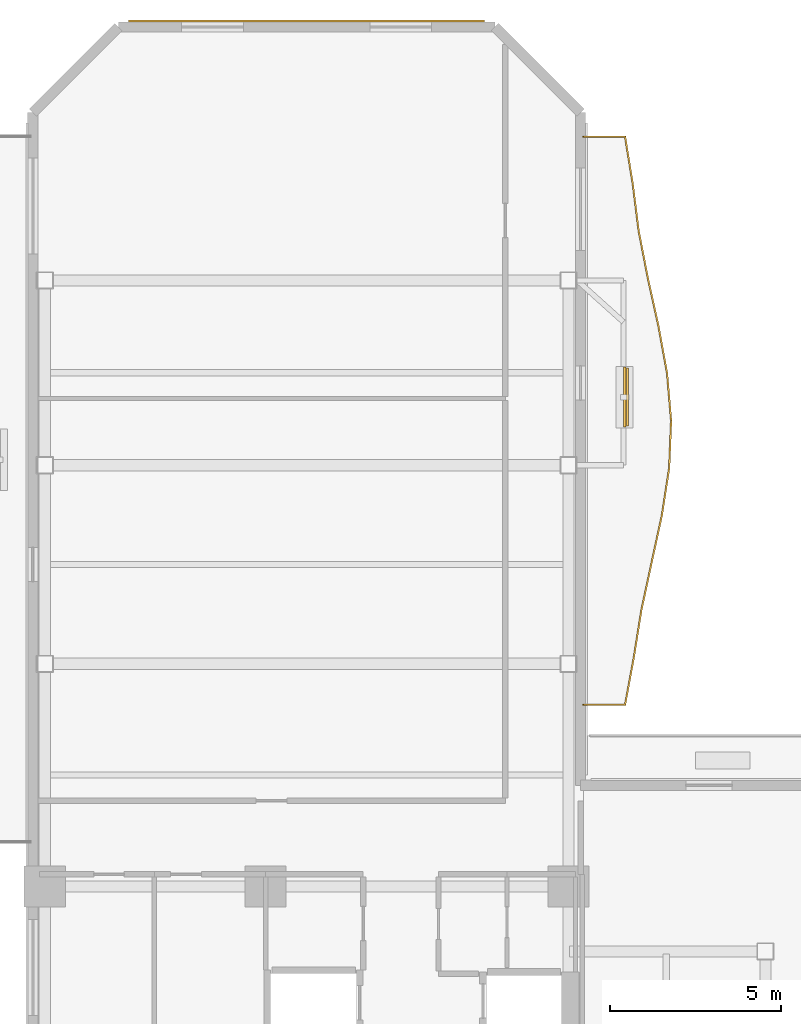
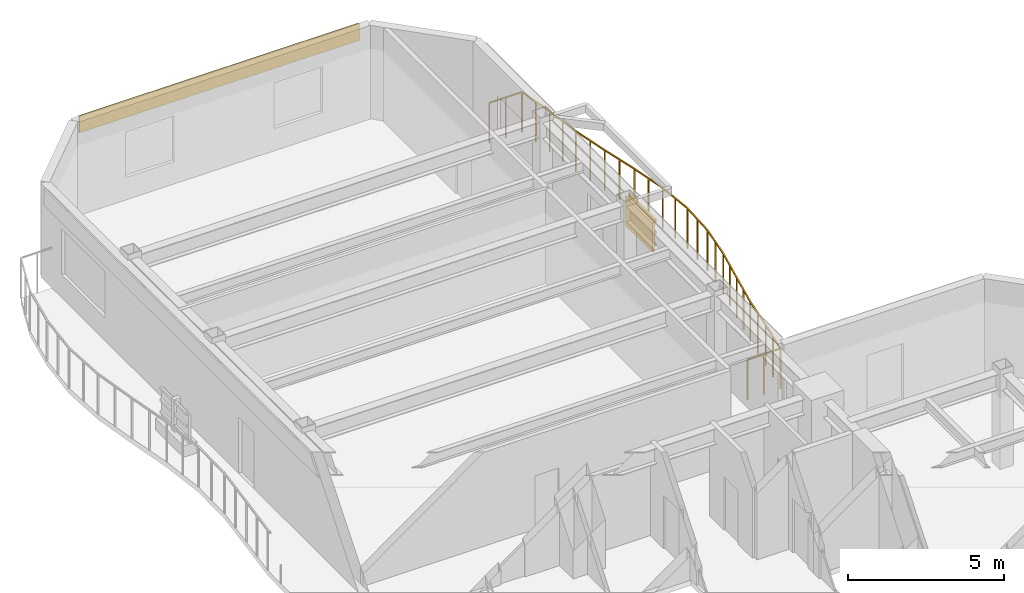
# One storey, part 12 of 12: 4 shading devices, 1 covering, 1 railing.
"""IFC4 building model written with IfcOpenShell, lengths in metres."""

from ifc_helpers import new_model, si_unit, direction, frame, origin, origin_2d, place, context, subcontext, project, spatial, rectangle, extrude, material, layer, layer_set, material_profile, profile_set, type_object, element, save


model = new_model("IFC4")

# Units and contexts
model_context = context("Model", 3, precision=1e-05, world=origin(), true_north=direction((0.0, 1.0)))
body_context = subcontext(model_context, "Body", "Model", "MODEL_VIEW")
ifc_project = project(units=[si_unit("LENGTHUNIT", "METRE"), si_unit("AREAUNIT", "SQUARE_METRE"), si_unit("VOLUMEUNIT", "CUBIC_METRE"), si_unit("PLANEANGLEUNIT", "RADIAN"), si_unit("MASSUNIT", "GRAM", prefix="KILO")], contexts=[model_context])

# Site, building, storey
site_placement = place(None, origin())
site = spatial("IfcSite", under=ifc_project, at=site_placement, CompositionType="ELEMENT")
building_placement = place(site_placement, origin())
building = spatial("IfcBuilding", under=site, at=building_placement, Name="Mawjaban Terraces University", CompositionType="ELEMENT")
storey_placement = place(building_placement, frame((0.0, 0.0, 134.60009765625)))
storey = spatial("IfcBuildingStorey", under=building, at=storey_placement, Name="L32", CompositionType="ELEMENT", Elevation=134.60009765625)

# Railing
ifc_material_1 = material(Name="Galvanised powder-coated steel S355", Category="steel")
railing_type = type_object("IfcRailingType", Name="BalconyBalustrade_1600", PredefinedType="BALUSTRADE", material=ifc_material_1)
railing_placement = place(storey_placement, frame((38.080078125, 28.800048828125, 0.0)))
element("IfcRailing", 1, at=railing_placement, inside=storey, type_object=railing_type, Name="L32 Balcony Guardrail inner_east", PredefinedType="BALUSTRADE", context=body_context, shape_type="SweptSolid", body=[
    extrude(rectangle(XDim=0.048095703125, YDim=0.048095703125, at=origin_2d()), frame((0.0, 0.0, 1.576171875), z_axis=(1.0, 0.0, 0.0), x_axis=(0.0, 1.0, 0.0)), (0.0, 0.0, 1.0), 1.219970703125),
    extrude(rectangle(XDim=0.048095703125, YDim=0.048095703125, at=origin_2d()), frame((1.219970703125, 0.0, 1.576171875), z_axis=(0.181909003779, 0.983315368711, 0.0), x_axis=(-0.983315368711, 0.181909003779, 0.0)), (0.0, 0.0, 1.0), 1.406494140625),
    extrude(rectangle(XDim=0.048095703125, YDim=0.048095703125, at=origin_2d()), frame((1.475830078125, 1.383056640625, 1.576171875), z_axis=(0.15784101474, 0.987464538131, 0.0), x_axis=(-0.987464538131, 0.15784101474, 0.0)), (0.0, 0.0, 1.0), 1.4013671875),
    extrude(rectangle(XDim=0.048095703125, YDim=0.048095703125, at=origin_2d()), frame((1.697021484375, 2.766845703125, 1.576171875), z_axis=(0.209870890681, 0.977729108314, 0.0), x_axis=(-0.977729108314, 0.209870890681, 0.0)), (0.0, 0.0, 1.0), 1.41455078125),
    extrude(rectangle(XDim=0.048095703125, YDim=0.048095703125, at=origin_2d()), frame((1.993896484375, 4.14990234375, 1.576171875), z_axis=(0.212673108317, 0.977123405205, 0.0), x_axis=(-0.977123405205, 0.212673108317, 0.0)), (0.0, 0.0, 1.0), 1.41552734375),
    extrude(rectangle(XDim=0.048095703125, YDim=0.048095703125, at=origin_2d()), frame((2.294921875, 5.532958984375, 1.576171875), z_axis=(0.152882400565, 0.988244388599, 0.0), x_axis=(-0.988244388599, 0.152882400565, 0.0)), (0.0, 0.0, 1.0), 1.400390625),
    extrude(rectangle(XDim=0.048095703125, YDim=0.048095703125, at=origin_2d()), frame((2.509033203125, 6.9169921875, 1.576171875), z_axis=(0.041094999432, 0.999155243704, 0.0), x_axis=(-0.999155243704, 0.041094999432, 0.0)), (0.0, 0.0, 1.0), 1.38427734375),
    extrude(rectangle(XDim=0.048095703125, YDim=0.048095703125, at=origin_2d()), frame((2.56591796875, 8.300048828125, 1.576171875), z_axis=(-0.084967047487, 0.996383761831, 0.0), x_axis=(-0.996383761831, -0.084967047487, 0.0)), (0.0, 0.0, 1.0), 1.387939453125),
    extrude(rectangle(XDim=0.048095703125, YDim=0.048095703125, at=origin_2d()), frame((2.447998046875, 9.682861328125, 1.576171875), z_axis=(-0.179938941465, 0.98367778126, 0.0), x_axis=(-0.98367778126, -0.179938941465, 0.0)), (0.0, 0.0, 1.0), 1.406982421875),
    extrude(rectangle(XDim=0.048095703125, YDim=0.048095703125, at=origin_2d()), frame((2.19482421875, 11.06689453125, 1.576171875), z_axis=(-0.215963125283, 0.976401520133, 0.0), x_axis=(-0.976401520133, -0.215963125283, 0.0)), (0.0, 0.0, 1.0), 1.41650390625),
    extrude(rectangle(XDim=0.048095703125, YDim=0.048095703125, at=origin_2d()), frame((1.888916015625, 12.449951171875, 1.576171875), z_axis=(-0.190948501606, 0.981600055896, 0.0), x_axis=(-0.981600055896, -0.190948501606, 0.0)), (0.0, 0.0, 1.0), 1.408935546875),
    extrude(rectangle(XDim=0.048095703125, YDim=0.048095703125, at=origin_2d()), frame((1.619873046875, 13.8330078125, 1.576171875), z_axis=(-0.125477711524, 0.992096438816, 0.0), x_axis=(-0.992096438816, -0.125477711524, 0.0)), (0.0, 0.0, 1.0), 1.39501953125),
    extrude(rectangle(XDim=0.048095703125, YDim=0.048095703125, at=origin_2d()), frame((1.44482421875, 15.217041015625, 1.576171875), z_axis=(-0.160497937462, 0.987036175664, 0.0), x_axis=(-0.987036175664, -0.160497937462, 0.0)), (0.0, 0.0, 1.0), 1.40087890625),
    extrude(rectangle(XDim=0.048095703125, YDim=0.048095703125, at=origin_2d()), frame((1.219970703125, 16.599853515625, 1.576171875), z_axis=(-1.0, 0.0, 0.0), x_axis=(0.0, -1.0, 0.0)), (0.0, 0.0, 1.0), 1.219970703125),
    extrude(rectangle(XDim=0.0419921875, YDim=0.0419921875, at=origin_2d()), origin(), (0.0, 0.0, 1.0), 1.552001953125),
    extrude(rectangle(XDim=0.0419921875, YDim=0.0419921875, at=origin_2d()), frame((0.60986328125, 0.0, 0.0)), (0.0, 0.0, 1.0), 1.552001953125),
    extrude(rectangle(XDim=0.0419921875, YDim=0.0419921875, at=origin_2d()), frame((1.219970703125, 0.0, 0.0)), (0.0, 0.0, 1.0), 1.552001953125),
    extrude(rectangle(XDim=0.0419921875, YDim=0.0419921875, at=origin_2d()), frame((1.347900390625, 0.69140625, 0.0)), (0.0, 0.0, 1.0), 1.552001953125),
    extrude(rectangle(XDim=0.0419921875, YDim=0.0419921875, at=origin_2d()), frame((1.475830078125, 1.383056640625, 0.0)), (0.0, 0.0, 1.0), 1.552001953125),
    extrude(rectangle(XDim=0.0419921875, YDim=0.0419921875, at=origin_2d()), frame((1.58642578125, 2.074951171875, 0.0)), (0.0, 0.0, 1.0), 1.552001953125),
    extrude(rectangle(XDim=0.0419921875, YDim=0.0419921875, at=origin_2d()), frame((1.697021484375, 2.766845703125, 0.0)), (0.0, 0.0, 1.0), 1.552001953125),
    extrude(rectangle(XDim=0.0419921875, YDim=0.0419921875, at=origin_2d()), frame((1.845458984375, 3.45849609375, 0.0)), (0.0, 0.0, 1.0), 1.552001953125),
    extrude(rectangle(XDim=0.0419921875, YDim=0.0419921875, at=origin_2d()), frame((1.993896484375, 4.14990234375, 0.0)), (0.0, 0.0, 1.0), 1.552001953125),
    extrude(rectangle(XDim=0.0419921875, YDim=0.0419921875, at=origin_2d()), frame((2.14453125, 4.84130859375, 0.0)), (0.0, 0.0, 1.0), 1.552001953125),
    extrude(rectangle(XDim=0.0419921875, YDim=0.0419921875, at=origin_2d()), frame((2.294921875, 5.532958984375, 0.0)), (0.0, 0.0, 1.0), 1.552001953125),
    extrude(rectangle(XDim=0.0419921875, YDim=0.0419921875, at=origin_2d()), frame((2.40185546875, 6.22509765625, 0.0)), (0.0, 0.0, 1.0), 1.552001953125),
    extrude(rectangle(XDim=0.0419921875, YDim=0.0419921875, at=origin_2d()), frame((2.509033203125, 6.9169921875, 0.0)), (0.0, 0.0, 1.0), 1.552001953125),
    extrude(rectangle(XDim=0.0419921875, YDim=0.0419921875, at=origin_2d()), frame((2.53759765625, 7.6083984375, 0.0)), (0.0, 0.0, 1.0), 1.552001953125),
    extrude(rectangle(XDim=0.0419921875, YDim=0.0419921875, at=origin_2d()), frame((2.56591796875, 8.300048828125, 0.0)), (0.0, 0.0, 1.0), 1.552001953125),
    extrude(rectangle(XDim=0.0419921875, YDim=0.0419921875, at=origin_2d()), frame((2.5068359375, 8.991455078125, 0.0)), (0.0, 0.0, 1.0), 1.552001953125),
    extrude(rectangle(XDim=0.0419921875, YDim=0.0419921875, at=origin_2d()), frame((2.447998046875, 9.682861328125, 0.0)), (0.0, 0.0, 1.0), 1.552001953125),
    extrude(rectangle(XDim=0.0419921875, YDim=0.0419921875, at=origin_2d()), frame((2.3212890625, 10.375, 0.0)), (0.0, 0.0, 1.0), 1.552001953125),
    extrude(rectangle(XDim=0.0419921875, YDim=0.0419921875, at=origin_2d()), frame((2.19482421875, 11.06689453125, 0.0)), (0.0, 0.0, 1.0), 1.552001953125),
    extrude(rectangle(XDim=0.0419921875, YDim=0.0419921875, at=origin_2d()), frame((2.0419921875, 11.75830078125, 0.0)), (0.0, 0.0, 1.0), 1.552001953125),
    extrude(rectangle(XDim=0.0419921875, YDim=0.0419921875, at=origin_2d()), frame((1.888916015625, 12.449951171875, 0.0)), (0.0, 0.0, 1.0), 1.552001953125),
    extrude(rectangle(XDim=0.0419921875, YDim=0.0419921875, at=origin_2d()), frame((1.75439453125, 13.1416015625, 0.0)), (0.0, 0.0, 1.0), 1.552001953125),
    extrude(rectangle(XDim=0.0419921875, YDim=0.0419921875, at=origin_2d()), frame((1.619873046875, 13.8330078125, 0.0)), (0.0, 0.0, 1.0), 1.552001953125),
    extrude(rectangle(XDim=0.0419921875, YDim=0.0419921875, at=origin_2d()), frame((1.5322265625, 14.52490234375, 0.0)), (0.0, 0.0, 1.0), 1.552001953125),
    extrude(rectangle(XDim=0.0419921875, YDim=0.0419921875, at=origin_2d()), frame((1.44482421875, 15.217041015625, 0.0)), (0.0, 0.0, 1.0), 1.552001953125),
    extrude(rectangle(XDim=0.0419921875, YDim=0.0419921875, at=origin_2d()), frame((1.33251953125, 15.908447265625, 0.0)), (0.0, 0.0, 1.0), 1.552001953125),
    extrude(rectangle(XDim=0.0419921875, YDim=0.0419921875, at=origin_2d()), frame((1.219970703125, 16.599853515625, 0.0)), (0.0, 0.0, 1.0), 1.552001953125),
    extrude(rectangle(XDim=0.0419921875, YDim=0.0419921875, at=origin_2d()), frame((0.60986328125, 16.599853515625, 0.0)), (0.0, 0.0, 1.0), 1.552001953125),
    extrude(rectangle(XDim=0.0419921875, YDim=0.0419921875, at=origin_2d()), frame((0.0, 16.599853515625, 0.0)), (0.0, 0.0, 1.0), 1.552001953125),
])

# Shading devices
ifc_material_2 = material(Name="Glazed architectural terracotta ceramic", Category="masonry")
ifc_material_profile = material_profile(ifc_material_2, rectangle(XDim=0.06494140625, YDim=0.110107421875, at=origin_2d()), Name="TBAG110X65")
ifc_profile_set = profile_set([ifc_material_profile], Name="Glazed architectural terracotta ceramic")
shading_device_type_1 = type_object("IfcShadingDeviceType", Name="TerracottaBaguette_110x65", PredefinedType="USERDEFINED", material=ifc_profile_set)
for number, where, z_axis, x_axis, name in (
    (2, (39.373046875, 36.94091796875, 0.679931640625), (0.0, 1.0, 0.0), (-1.0, 0.0, 0.0), "L32 Horizontal Terracotta Baguette inner_east.1"),
    (3, (39.373046875, 36.94091796875, 1.14990234375), (0.0, 1.0, 0.0), (-1.0, 0.0, 0.0), "L32 Horizontal Terracotta Baguette inner_east.2"),
    (4, (39.373046875, 36.94091796875, 1.619873046875), (0.0, 1.0, 0.0), (-1.0, 0.0, 0.0), "L32 Horizontal Terracotta Baguette inner_east.3"),
):
    element("IfcShadingDevice", number, at=place(storey_placement, frame(where, z_axis=z_axis, x_axis=x_axis)), inside=storey, type_object=shading_device_type_1, Name=name, ObjectType="BAGUETTE", PredefinedType="USERDEFINED", context=body_context, shape_type="SweptSolid", body=[
        extrude(rectangle(XDim=0.06494140625, YDim=0.110107421875, at=origin_2d()), origin(), (0.0, 0.0, 1.0), 1.7001953125),
    ])
ifc_layer_1 = layer(ifc_material_2, 0.080078125)
ifc_layer_set_1 = layer_set([ifc_layer_1], Name="Glazed architectural terracotta ceramic")
shading_device_type_2 = type_object("IfcShadingDeviceType", Name="TerracottaScreen_Perforated", PredefinedType="USERDEFINED", material=ifc_layer_set_1)
shading_device_placement = place(storey_placement, frame((39.2880859375, 37.791015625, 0.43994140625), z_axis=(0.0, 0.0, 1.0), x_axis=(0.0, 1.0, 0.0)))
element("IfcShadingDevice", 5, at=shading_device_placement, inside=storey, type_object=shading_device_type_2, Name="L32 Balcony Perforated Terracotta Screen inner_east", ObjectType="SCREEN", PredefinedType="USERDEFINED", context=body_context, shape_type="SweptSolid", body=[
    extrude(rectangle(XDim=1.75, YDim=0.080078125, at=origin_2d()), origin(), (0.0, 0.0, 1.0), 1.14990234375),
])

# Covering
ifc_material_3 = material(Name="Glazed architectural terracotta rainscreen", Category="masonry")
ifc_layer_2 = layer(ifc_material_3, 0.06005859375)
ifc_layer_set_2 = layer_set([ifc_layer_2], Name="Glazed architectural terracotta rainscreen")
covering_type = type_object("IfcCoveringType", Name="TerracottaSpandrelCladding_60", PredefinedType="CLADDING", material=ifc_layer_set_2)
covering_placement = place(storey_placement, frame((30.0, 48.77490234375, 3.014892578125), z_axis=(0.0, 0.0, 1.0), x_axis=(-1.0, 0.0, 0.0)))
element("IfcCovering", 6, at=covering_placement, inside=storey, type_object=covering_type, Name="L32 Terracotta Spandrel Cladding 11", PredefinedType="CLADDING", context=body_context, shape_type="SweptSolid", body=[
    extrude(rectangle(XDim=10.39990234375, YDim=0.06005859375, at=origin_2d()), origin(), (0.0, 0.0, 1.0), 0.64990234375),
])

save(model, "model.ifc")
